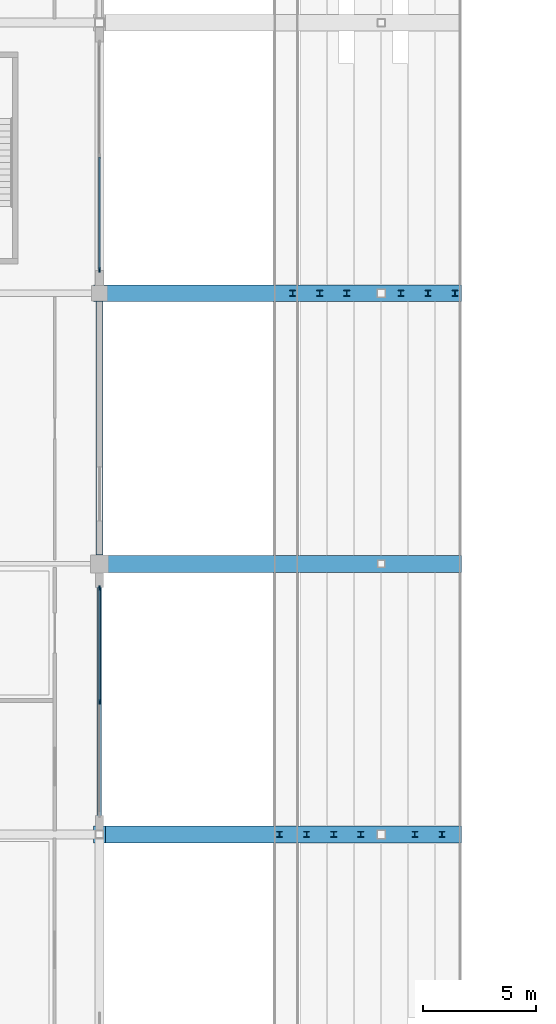
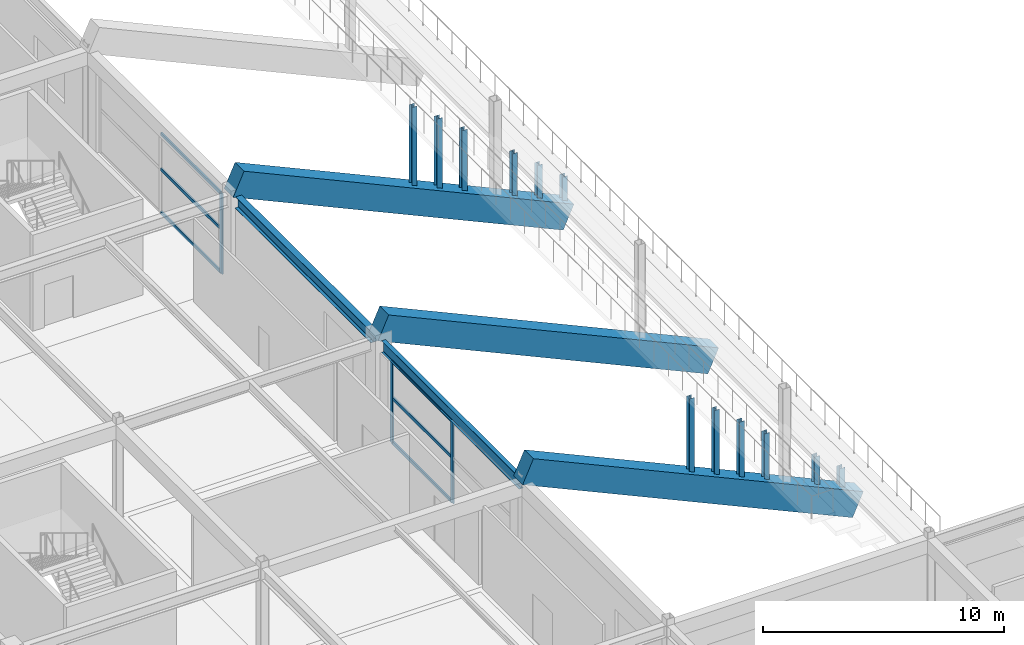
# One storey, part 30 of 128: 21 members, 5 beams, 2 elements without a shape of their own.
"""IFC4 building model written with IfcOpenShell, lengths in metres."""

from ifc_helpers import new_model, si_unit, direction, frame, origin, origin_2d, place, context, subcontext, project, spatial, rectangle, i_section, extrude, material, layer, layer_set, material_profile, profile_set, type_object, element, aggregate, save


model = new_model("IFC4")

# Units and contexts
model_context = context("Model", 3, precision=1e-05, world=origin(), true_north=direction((0.0, 1.0)))
body_context = subcontext(model_context, "Body", "Model", "MODEL_VIEW")
ifc_project = project(units=[si_unit("LENGTHUNIT", "METRE"), si_unit("AREAUNIT", "SQUARE_METRE"), si_unit("VOLUMEUNIT", "CUBIC_METRE"), si_unit("PLANEANGLEUNIT", "RADIAN"), si_unit("MASSUNIT", "GRAM", prefix="KILO")], contexts=[model_context])

# Site, building, storey
site_placement = place(None, origin())
site = spatial("IfcSite", under=ifc_project, at=site_placement, CompositionType="ELEMENT")
building_placement = place(site_placement, origin())
building = spatial("IfcBuilding", under=site, at=building_placement, Name="Kazenohara Klinker Stadium", CompositionType="ELEMENT")
storey_placement = place(building_placement, frame((0.0, 0.0, 15.300048828125)))
storey = spatial("IfcBuildingStorey", under=building, at=storey_placement, Name="L03", CompositionType="ELEMENT", Elevation=15.300048828125)

# Beams
ifc_material_1 = material(Name="Steel S355", Category="steel")
ifc_material_profile_1 = material_profile(ifc_material_1, i_section(OverallWidth=0.199951171875, OverallDepth=0.60009765625, WebThickness=0.010986328125, FlangeThickness=0.01708984375, FilletRadius=0.012939453125, at=origin_2d()), Name="H-600x200x11x17")
ifc_profile_set_1 = profile_set([ifc_material_profile_1], Name="Steel S355")
beam_type_1 = type_object("IfcBeamType", Name="BM-ST04", PredefinedType="BEAM", material=ifc_profile_set_1)
beam_1_placement = place(storey_placement, frame((36.5, 48.175048828125, 4.4599609375), z_axis=(0.0, 1.0, 0.0), x_axis=(-1.0, 0.0, 0.0)))
element("IfcBeam", 1, at=beam_1_placement, inside=storey, type_object=beam_type_1, Name="Primary girder SB04 L03 4/E-F", PredefinedType="BEAM", context=body_context, shape_type="SweptSolid", body=[
    extrude(i_section(OverallWidth=0.199951171875, OverallDepth=0.60009765625, WebThickness=0.010986328125, FlangeThickness=0.01708984375, FilletRadius=0.012939453125, at=origin_2d()), origin(), (0.0, 0.0, 1.0), 11.425048828125),
])
ifc_material_profile_2 = material_profile(ifc_material_1, i_section(OverallWidth=0.300048828125, OverallDepth=0.587890625, WebThickness=0.011962890625, FlangeThickness=0.02001953125, FilletRadius=0.02197265625, at=origin_2d()), Name="H-588x300x12x20")
ifc_profile_set_2 = profile_set([ifc_material_profile_2], Name="Steel S355")
beam_type_2 = type_object("IfcBeamType", Name="BM-ST05", PredefinedType="BEAM", material=ifc_profile_set_2)
beam_2_placement = place(storey_placement, frame((36.5, 60.39990234375, 4.466064453125), z_axis=(0.0, 1.0, 0.0), x_axis=(-1.0, 0.0, 0.0)))
element("IfcBeam", 2, at=beam_2_placement, inside=storey, type_object=beam_type_2, Name="Primary girder SB05 L03 4/F-G", PredefinedType="BEAM", context=body_context, shape_type="SweptSolid", body=[
    extrude(i_section(OverallWidth=0.300048828125, OverallDepth=0.587890625, WebThickness=0.011962890625, FlangeThickness=0.02001953125, FilletRadius=0.02197265625, at=origin_2d()), origin(), (0.0, 0.0, 1.0), 11.25),
])

# Curtain wall, members
ifc_material_2 = material(Name="Anodised aluminium and triple glazing", Category="aluminium")
ifc_layer_1 = layer(ifc_material_2, 0.159912109375)
ifc_layer_set_1 = layer_set([ifc_layer_1], Name="Anodised aluminium and triple glazing")
curtain_wall_type_1 = type_object("IfcCurtainWallType", Name="CW-SYS-01", PredefinedType="USERDEFINED", material=ifc_layer_set_1)
curtain_wall_1_placement = place(storey_placement, origin())
curtain_wall_1 = element("IfcCurtainWall", 3, at=curtain_wall_1_placement, inside=storey, type_object=curtain_wall_type_1, Name="Unitised facade curtain wall CW01 L03 Y3-4", ObjectType="UNITISED CURTAIN WALL", PredefinedType="USERDEFINED")
ifc_material_3 = material(Name="Anodised aluminium 6063-T6", Category="aluminium")
ifc_material_profile_3 = material_profile(ifc_material_3, rectangle(XDim=0.074951171875, YDim=0.219970703125, at=origin_2d()), Name="ALU-MUL-75x220")
ifc_profile_set_3 = profile_set([ifc_material_profile_3], Name="Anodised aluminium 6063-T6")
member_type_1 = type_object("IfcMemberType", Name="CW-MUL-220", PredefinedType="MULLION", material=ifc_profile_set_3)
member_1_placement = place(storey_placement, frame((36.5, 53.887451171875, 0.0), z_axis=(0.0, 0.0, 1.0), x_axis=(-1.0, 0.0, 0.0)))
member_1 = element("IfcMember", 4, at=member_1_placement, type_object=member_type_1, Name="CW01 mullion 2", PredefinedType="MULLION", context=body_context, shape_type="SweptSolid", body=[
    extrude(rectangle(XDim=0.074951171875, YDim=0.219970703125, at=origin_2d()), origin(), (0.0, 0.0, 1.0), 4.159912109375),
])
member_2_placement = place(storey_placement, frame((36.5, 58.908447265625, 0.0), z_axis=(0.0, 0.0, 1.0), x_axis=(-1.0, 0.0, 0.0)))
member_2 = element("IfcMember", 5, at=member_2_placement, type_object=member_type_1, Name="CW01 mullion 3", PredefinedType="MULLION", context=body_context, shape_type="SweptSolid", body=[
    extrude(rectangle(XDim=0.074951171875, YDim=0.219970703125, at=origin_2d()), origin(), (0.0, 0.0, 1.0), 4.159912109375),
])

# Curtain wall, member
ifc_layer_2 = layer(ifc_material_2, 0.179931640625)
ifc_layer_set_2 = layer_set([ifc_layer_2], Name="Anodised aluminium and triple glazing")
curtain_wall_type_2 = type_object("IfcCurtainWallType", Name="CW-SYS-02", PredefinedType="USERDEFINED", material=ifc_layer_set_2)
curtain_wall_2_placement = place(storey_placement, origin())
curtain_wall_2 = element("IfcCurtainWall", 6, at=curtain_wall_2_placement, inside=storey, type_object=curtain_wall_type_2, Name="Unitised facade curtain wall CW02 L03 Y3-6", ObjectType="UNITISED CURTAIN WALL", PredefinedType="USERDEFINED")
member_3_placement = place(storey_placement, frame((36.5, 73.04150390625, 0.0), z_axis=(0.0, 0.0, 1.0), x_axis=(-1.0, 0.0, 0.0)))
member_3 = element("IfcMember", 7, at=member_3_placement, type_object=member_type_1, Name="CW02 mullion 1", PredefinedType="MULLION", context=body_context, shape_type="SweptSolid", body=[
    extrude(rectangle(XDim=0.074951171875, YDim=0.219970703125, at=origin_2d()), origin(), (0.0, 0.0, 1.0), 4.06005859375),
])

# Member
ifc_material_profile_4 = material_profile(ifc_material_3, rectangle(XDim=0.074951171875, YDim=0.159912109375, at=origin_2d()), Name="ALU-TRN-75x160")
ifc_profile_set_4 = profile_set([ifc_material_profile_4], Name="Anodised aluminium 6063-T6")
member_type_2 = type_object("IfcMemberType", Name="CW-TRN-160", PredefinedType="USERDEFINED", material=ifc_profile_set_4)
member_4_placement = place(storey_placement, frame((36.5, 53.925048828125, 0.037353515625), z_axis=(0.0, 1.0, 0.0), x_axis=(-1.0, 0.0, 0.0)))
member_4 = element("IfcMember", 8, at=member_4_placement, type_object=member_type_2, Name="CW01 transom 2.1", ObjectType="TRANSOM", PredefinedType="USERDEFINED", context=body_context, shape_type="SweptSolid", body=[
    extrude(rectangle(XDim=0.074951171875, YDim=0.159912109375, at=origin_2d()), origin(), (0.0, 0.0, 1.0), 4.946044921875),
])

member_5_placement = place(storey_placement, frame((36.5, 53.925048828125, 2.287841796875), z_axis=(0.0, 1.0, 0.0), x_axis=(-1.0, 0.0, 0.0)))
member_5 = element("IfcMember", 9, at=member_5_placement, type_object=member_type_2, Name="CW01 transom 2.2", ObjectType="TRANSOM", PredefinedType="USERDEFINED", context=body_context, shape_type="SweptSolid", body=[
    extrude(rectangle(XDim=0.074951171875, YDim=0.159912109375, at=origin_2d()), origin(), (0.0, 0.0, 1.0), 4.946044921875),
])

member_6_placement = place(storey_placement, frame((36.5, 53.925048828125, 4.12255859375), z_axis=(0.0, 1.0, 0.0), x_axis=(-1.0, 0.0, 0.0)))
member_6 = element("IfcMember", 10, at=member_6_placement, type_object=member_type_2, Name="CW01 transom 2.3", ObjectType="TRANSOM", PredefinedType="USERDEFINED", context=body_context, shape_type="SweptSolid", body=[
    extrude(rectangle(XDim=0.074951171875, YDim=0.159912109375, at=origin_2d()), origin(), (0.0, 0.0, 1.0), 4.946044921875),
])

aggregate(curtain_wall_1, [member_1, member_2, member_4, member_5, member_6])

member_7_placement = place(storey_placement, frame((36.5, 73.0791015625, 0.037353515625), z_axis=(0.0, 1.0, 0.0), x_axis=(-1.0, 0.0, 0.0)))
member_7 = element("IfcMember", 11, at=member_7_placement, type_object=member_type_2, Name="CW02 transom 1.1", ObjectType="TRANSOM", PredefinedType="USERDEFINED", context=body_context, shape_type="SweptSolid", body=[
    extrude(rectangle(XDim=0.074951171875, YDim=0.159912109375, at=origin_2d()), origin(), (0.0, 0.0, 1.0), 4.95849609375),
])

member_8_placement = place(storey_placement, frame((36.5, 73.0791015625, 2.23291015625), z_axis=(0.0, 1.0, 0.0), x_axis=(-1.0, 0.0, 0.0)))
member_8 = element("IfcMember", 12, at=member_8_placement, type_object=member_type_2, Name="CW02 transom 1.2", ObjectType="TRANSOM", PredefinedType="USERDEFINED", context=body_context, shape_type="SweptSolid", body=[
    extrude(rectangle(XDim=0.074951171875, YDim=0.159912109375, at=origin_2d()), origin(), (0.0, 0.0, 1.0), 4.95849609375),
])

member_9_placement = place(storey_placement, frame((36.5, 73.0791015625, 4.0224609375), z_axis=(0.0, 1.0, 0.0), x_axis=(-1.0, 0.0, 0.0)))
member_9 = element("IfcMember", 13, at=member_9_placement, type_object=member_type_2, Name="CW02 transom 1.3", ObjectType="TRANSOM", PredefinedType="USERDEFINED", context=body_context, shape_type="SweptSolid", body=[
    extrude(rectangle(XDim=0.074951171875, YDim=0.159912109375, at=origin_2d()), origin(), (0.0, 0.0, 1.0), 4.95849609375),
])

aggregate(curtain_wall_2, [member_3, member_7, member_8, member_9])

# Members
ifc_material_profile_5 = material_profile(ifc_material_1, i_section(OverallWidth=0.25, OverallDepth=0.25, WebThickness=0.009033203125, FlangeThickness=0.013916015625, FilletRadius=0.012939453125, at=origin_2d()), Name="H-250x250x9x14")
ifc_profile_set_5 = profile_set([ifc_material_profile_5], Name="Steel S355")
member_type_3 = type_object("IfcMemberType", Name="MEM-STR02", PredefinedType="STRUT", material=ifc_profile_set_5)
for number, where, z_axis, x_axis, name in (
    (14, (44.489990234375, 48.0, 2.04541015625), (0.0, 0.0, 1.0), (1.0, 0.0, 0.0), "Precast tier riser stool UPPER-W-01-04"),
    (15, (45.070068359375, 72.0, 2.04541015625), (0.0, 0.0, 1.0), (1.0, 0.0, 0.0), "Precast tier riser stool UPPER-W-01-06"),
):
    element("IfcMember", number, at=place(storey_placement, frame(where, z_axis=z_axis, x_axis=x_axis)), inside=storey, type_object=member_type_3, Name=name, PredefinedType="STRUT", context=body_context, shape_type="SweptSolid", body=[
        extrude(i_section(OverallWidth=0.25, OverallDepth=0.25, WebThickness=0.009033203125, FlangeThickness=0.013916015625, FilletRadius=0.012939453125, at=origin_2d()), origin(), (0.0, 0.0, 1.0), 4.074462890625),
    ])
for number, where, z_axis, x_axis, name in (
    (16, (45.68994140625, 48.0, 1.49853515625), (0.0, 0.0, 1.0), (1.0, 0.0, 0.0), "Precast tier riser stool UPPER-W-02-04"),
    (17, (46.27001953125, 72.0, 1.49853515625), (0.0, 0.0, 1.0), (1.0, 0.0, 0.0), "Precast tier riser stool UPPER-W-02-06"),
):
    element("IfcMember", number, at=place(storey_placement, frame(where, z_axis=z_axis, x_axis=x_axis)), inside=storey, type_object=member_type_3, Name=name, PredefinedType="STRUT", context=body_context, shape_type="SweptSolid", body=[
        extrude(i_section(OverallWidth=0.25, OverallDepth=0.25, WebThickness=0.009033203125, FlangeThickness=0.013916015625, FilletRadius=0.012939453125, at=origin_2d()), origin(), (0.0, 0.0, 1.0), 3.613037109375),
    ])
for number, where, z_axis, x_axis, name in (
    (18, (46.889892578125, 48.0, 0.95166015625), (0.0, 0.0, 1.0), (1.0, 0.0, 0.0), "Precast tier riser stool UPPER-W-03-04"),
    (19, (47.469970703125, 72.0, 0.95166015625), (0.0, 0.0, 1.0), (1.0, 0.0, 0.0), "Precast tier riser stool UPPER-W-03-06"),
):
    element("IfcMember", number, at=place(storey_placement, frame(where, z_axis=z_axis, x_axis=x_axis)), inside=storey, type_object=member_type_3, Name=name, PredefinedType="STRUT", context=body_context, shape_type="SweptSolid", body=[
        extrude(i_section(OverallWidth=0.25, OverallDepth=0.25, WebThickness=0.009033203125, FlangeThickness=0.013916015625, FilletRadius=0.012939453125, at=origin_2d()), origin(), (0.0, 0.0, 1.0), 3.151611328125),
    ])
member_10_placement = place(storey_placement, frame((48.090087890625, 48.0, 0.40478515625), z_axis=(0.0, 0.0, 1.0), x_axis=(1.0, 0.0, 0.0)))
element("IfcMember", 20, at=member_10_placement, inside=storey, type_object=member_type_3, Name="Precast tier riser stool UPPER-W-04-04", PredefinedType="STRUT", context=body_context, shape_type="SweptSolid", body=[
    extrude(i_section(OverallWidth=0.25, OverallDepth=0.25, WebThickness=0.009033203125, FlangeThickness=0.013916015625, FilletRadius=0.012939453125, at=origin_2d()), origin(), (0.0, 0.0, 1.0), 2.690185546875),
])
member_11_placement = place(storey_placement, frame((49.8701171875, 72.0, -0.141845703125), z_axis=(0.0, 0.0, 1.0), x_axis=(1.0, 0.0, 0.0)))
element("IfcMember", 21, at=member_11_placement, inside=storey, type_object=member_type_3, Name="Precast tier riser stool UPPER-W-05-06", PredefinedType="STRUT", context=body_context, shape_type="SweptSolid", body=[
    extrude(i_section(OverallWidth=0.25, OverallDepth=0.25, WebThickness=0.009033203125, FlangeThickness=0.013916015625, FilletRadius=0.012939453125, at=origin_2d()), origin(), (0.0, 0.0, 1.0), 2.228515625),
])
for number, where, z_axis, x_axis, name in (
    (22, (50.489990234375, 48.0, -0.68896484375), (0.0, 0.0, 1.0), (1.0, 0.0, 0.0), "Precast tier riser stool UPPER-W-06-04"),
    (23, (51.070068359375, 72.0, -0.68896484375), (0.0, 0.0, 1.0), (1.0, 0.0, 0.0), "Precast tier riser stool UPPER-W-06-06"),
):
    element("IfcMember", number, at=place(storey_placement, frame(where, z_axis=z_axis, x_axis=x_axis)), inside=storey, type_object=member_type_3, Name=name, PredefinedType="STRUT", context=body_context, shape_type="SweptSolid", body=[
        extrude(i_section(OverallWidth=0.25, OverallDepth=0.25, WebThickness=0.009033203125, FlangeThickness=0.013916015625, FilletRadius=0.012939453125, at=origin_2d()), origin(), (0.0, 0.0, 1.0), 1.767333984375),
    ])
for number, where, z_axis, x_axis, name in (
    (24, (51.68994140625, 48.0, -1.235595703125), (0.0, 0.0, 1.0), (1.0, 0.0, 0.0), "Precast tier riser stool UPPER-W-07-04"),
    (25, (52.27001953125, 72.0, -1.235595703125), (0.0, 0.0, 1.0), (1.0, 0.0, 0.0), "Precast tier riser stool UPPER-W-07-06"),
):
    element("IfcMember", number, at=place(storey_placement, frame(where, z_axis=z_axis, x_axis=x_axis)), inside=storey, type_object=member_type_3, Name=name, PredefinedType="STRUT", context=body_context, shape_type="SweptSolid", body=[
        extrude(i_section(OverallWidth=0.25, OverallDepth=0.25, WebThickness=0.009033203125, FlangeThickness=0.013916015625, FilletRadius=0.012939453125, at=origin_2d()), origin(), (0.0, 0.0, 1.0), 1.3056640625),
    ])

# Beams
ifc_material_4 = material(Name="Precast concrete C50/60", Category="concrete")
ifc_material_profile_6 = material_profile(ifc_material_4, rectangle(XDim=0.75, YDim=1.25, at=origin_2d()), Name="PC-RAKER-750x1250")
ifc_profile_set_6 = profile_set([ifc_material_profile_6], Name="Precast concrete C50/60")
beam_type_3 = type_object("IfcBeamType", Name="RAKER-RK02", PredefinedType="USERDEFINED", material=ifc_profile_set_6)
for number, where, z_axis, x_axis, name in (
    (26, (36.5, 48.0, 5.351318359375), (0.909973134945, 0.0, -0.414667208348), (0.0, 1.0, 0.0), "Precast bowl raker girder RK02 UPPER West E"),
    (27, (36.5, 60.0, 5.351318359375), (0.909973134945, 0.0, -0.414667208348), (0.0, 1.0, 0.0), "Precast bowl raker girder RK02 UPPER West F"),
    (28, (36.5, 72.0, 5.351318359375), (0.909973134945, 0.0, -0.414667208348), (0.0, 1.0, 0.0), "Precast bowl raker girder RK02 UPPER West G"),
):
    element("IfcBeam", number, at=place(storey_placement, frame(where, z_axis=z_axis, x_axis=x_axis)), inside=storey, type_object=beam_type_3, Name=name, ObjectType="RAKER", PredefinedType="USERDEFINED", context=body_context, shape_type="SweptSolid", body=[
        extrude(rectangle(XDim=0.75, YDim=1.25, at=origin_2d()), origin(), (0.0, 0.0, 1.0), 17.36328125),
    ])

save(model, "model.ifc")
